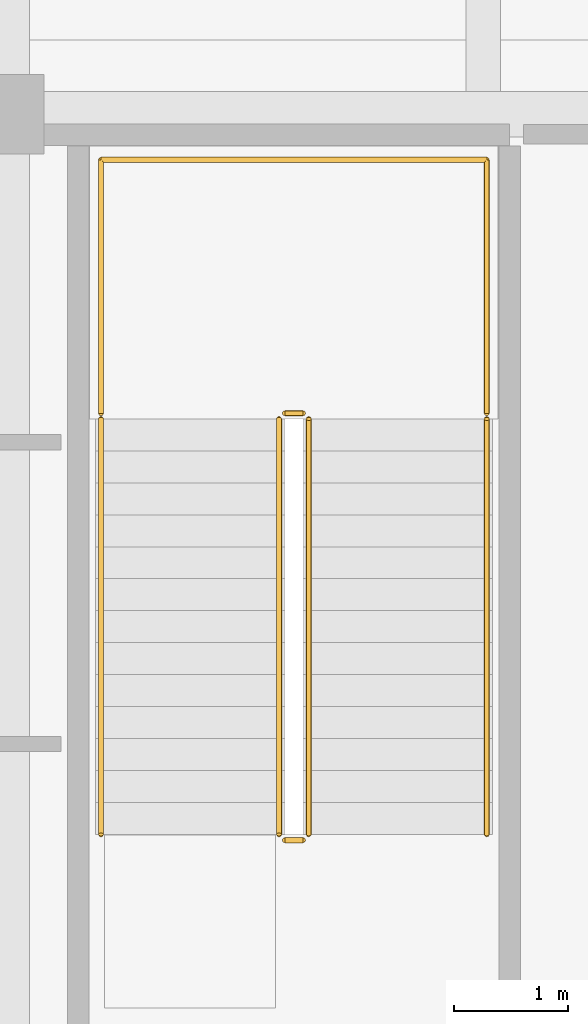
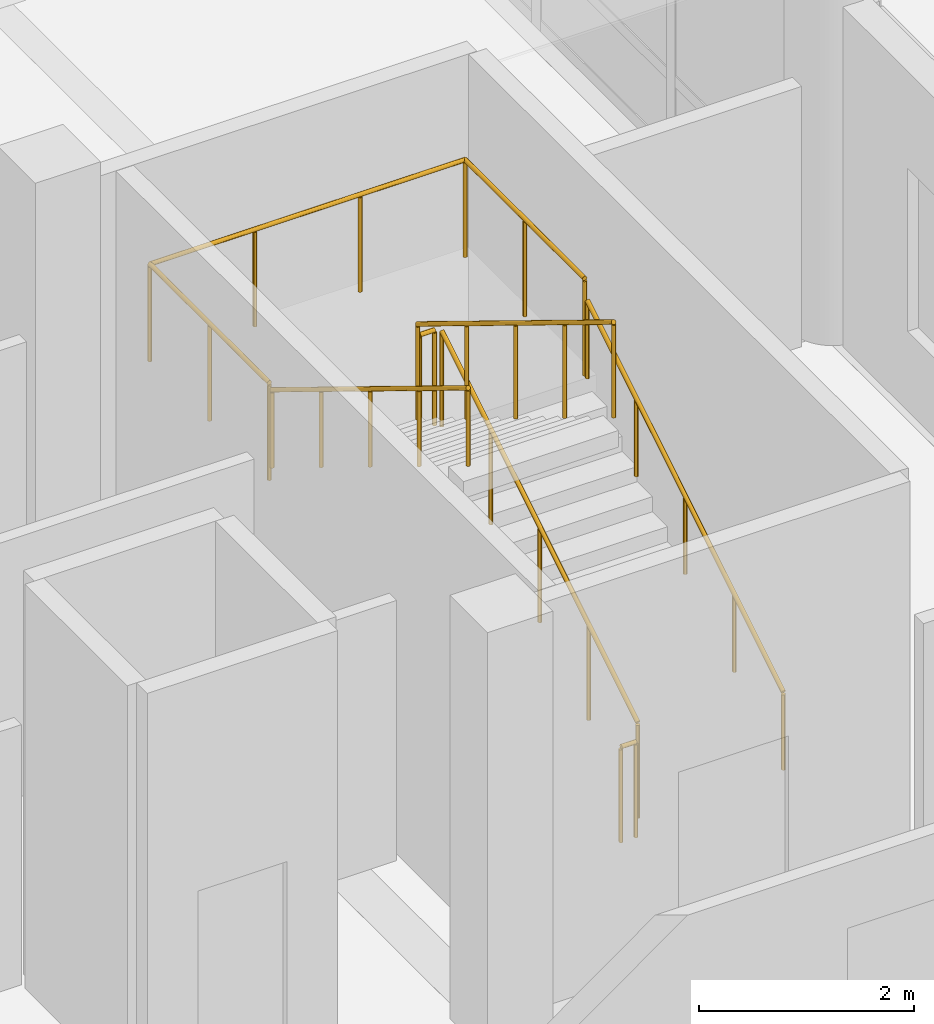
# One storey, part 89 of 128: 7 railings.
"""IFC4 building model written with IfcOpenShell, lengths in metres."""

from ifc_helpers import new_model, si_unit, direction, frame, origin, origin_2d, place, context, subcontext, project, spatial, circle, extrude, material, type_object, element, save


model = new_model("IFC4")

# Units and contexts
model_context = context("Model", 3, precision=1e-05, world=origin(), true_north=direction((0.0, 1.0)))
body_context = subcontext(model_context, "Body", "Model", "MODEL_VIEW")
ifc_project = project(units=[si_unit("LENGTHUNIT", "METRE"), si_unit("AREAUNIT", "SQUARE_METRE"), si_unit("VOLUMEUNIT", "CUBIC_METRE"), si_unit("PLANEANGLEUNIT", "RADIAN"), si_unit("MASSUNIT", "GRAM", prefix="KILO")], contexts=[model_context])

# Site, building, storey
site_placement = place(None, origin())
site = spatial("IfcSite", under=ifc_project, at=site_placement, CompositionType="ELEMENT")
building_placement = place(site_placement, origin())
building = spatial("IfcBuilding", under=site, at=building_placement, Name="Telukmera Botanical Conservatory", CompositionType="ELEMENT")
storey_placement = place(building_placement, frame((0.0, 0.0, 5.39990234375)))
storey = spatial("IfcBuildingStorey", under=building, at=storey_placement, Name="L01", CompositionType="ELEMENT", Elevation=5.39990234375)

# Railings
ifc_material_1 = material(Name="Steel S355", Category="steel")
railing_type_1 = type_object("IfcRailingType", Name="RL-GUARD-1100", PredefinedType="GUARDRAIL", material=ifc_material_1)
railing_1_placement = place(storey_placement, frame((36.27001953125, 28.090087890625, 0.171630859375)))
element("IfcRailing", 1, at=railing_1_placement, inside=storey, type_object=railing_type_1, Name="L01 ST3 stair guard 1", PredefinedType="GUARDRAIL", context=body_context, shape_type="SweptSolid", body=[
    extrude(circle(Radius=0.02392578125, at=origin_2d()), frame((0.0, 0.0, 1.076171875), z_axis=(0.0, 0.852850264322, 0.5221555579), x_axis=(-1.0, 0.0, 0.0)), (0.0, 0.0, 1.0), 4.267822265625),
    extrude(circle(Radius=0.02099609375, at=origin_2d()), origin(), (0.0, 0.0, 1.0), 1.052001953125),
    extrude(circle(Radius=0.02099609375, at=origin_2d()), frame((0.0, 0.909912109375, 0.55712890625)), (0.0, 0.0, 1.0), 1.052001953125),
    extrude(circle(Radius=0.02099609375, at=origin_2d()), frame((0.0, 1.81982421875, 1.1142578125)), (0.0, 0.0, 1.0), 1.052001953125),
    extrude(circle(Radius=0.02099609375, at=origin_2d()), frame((0.0, 2.72998046875, 1.67138671875)), (0.0, 0.0, 1.0), 1.052001953125),
    extrude(circle(Radius=0.02099609375, at=origin_2d()), frame((0.0, 3.639892578125, 2.228515625)), (0.0, 0.0, 1.0), 1.052001953125),
])
railing_2_placement = place(storey_placement, frame((36.219970703125, 31.780029296875, 2.400146484375)))
element("IfcRailing", 2, at=railing_2_placement, inside=storey, type_object=railing_type_1, Name="L01 ST3 stair guard 2", PredefinedType="GUARDRAIL", context=body_context, shape_type="SweptSolid", body=[
    extrude(circle(Radius=0.02392578125, at=origin_2d()), frame((0.0, 0.0, 1.076171875), z_axis=(-1.0, 0.0, 0.0), x_axis=(0.0, -1.0, 0.0)), (0.0, 0.0, 1.0), 0.159912109375),
    extrude(circle(Radius=0.02099609375, at=origin_2d()), origin(), (0.0, 0.0, 1.0), 1.052001953125),
    extrude(circle(Radius=0.02099609375, at=origin_2d()), frame((-0.159912109375, 0.0, 0.0)), (0.0, 0.0, 1.0), 1.052001953125),
])
railing_3_placement = place(storey_placement, frame((36.010009765625, 31.72998046875, 2.571533203125)))
element("IfcRailing", 3, at=railing_3_placement, inside=storey, type_object=railing_type_1, Name="L01 ST3 stair guard 3", PredefinedType="GUARDRAIL", context=body_context, shape_type="SweptSolid", body=[
    extrude(circle(Radius=0.02392578125, at=origin_2d()), frame((0.0, 0.0, 1.076171875), z_axis=(0.0, -0.852850264322, 0.5221555579), x_axis=(1.0, 0.0, 0.0)), (0.0, 0.0, 1.0), 4.267822265625),
    extrude(circle(Radius=0.02099609375, at=origin_2d()), origin(), (0.0, 0.0, 1.0), 1.052001953125),
    extrude(circle(Radius=0.02099609375, at=origin_2d()), frame((0.0, -0.909912109375, 0.55712890625)), (0.0, 0.0, 1.0), 1.052001953125),
    extrude(circle(Radius=0.02099609375, at=origin_2d()), frame((0.0, -1.81982421875, 1.1142578125)), (0.0, 0.0, 1.0), 1.052001953125),
    extrude(circle(Radius=0.02099609375, at=origin_2d()), frame((0.0, -2.72998046875, 1.67138671875)), (0.0, 0.0, 1.0), 1.052001953125),
    extrude(circle(Radius=0.02099609375, at=origin_2d()), frame((0.0, -3.639892578125, 2.228515625)), (0.0, 0.0, 1.0), 1.052001953125),
])
railing_4_placement = place(storey_placement, frame((36.219970703125, 28.0400390625, 0.0)))
element("IfcRailing", 4, at=railing_4_placement, inside=storey, type_object=railing_type_1, Name="L01 ST3 stair guard 4", PredefinedType="GUARDRAIL", context=body_context, shape_type="SweptSolid", body=[
    extrude(circle(Radius=0.02392578125, at=origin_2d()), frame((0.0, 0.0, 1.076171875), z_axis=(-1.0, 0.0, 0.0), x_axis=(0.0, -1.0, 0.0)), (0.0, 0.0, 1.0), 0.159912109375),
    extrude(circle(Radius=0.02099609375, at=origin_2d()), origin(), (0.0, 0.0, 1.0), 1.052001953125),
    extrude(circle(Radius=0.02099609375, at=origin_2d()), frame((-0.159912109375, 0.0, 0.0)), (0.0, 0.0, 1.0), 1.052001953125),
])
railing_5_placement = place(storey_placement, frame((37.830078125, 31.780029296875, 2.400146484375)))
element("IfcRailing", 5, at=railing_5_placement, inside=storey, type_object=railing_type_1, Name="L01 ST3 half-landing perimeter guard 1", PredefinedType="GUARDRAIL", context=body_context, shape_type="SweptSolid", body=[
    extrude(circle(Radius=0.02392578125, at=origin_2d()), frame((0.0, 0.0, 1.09619140625), z_axis=(0.0, 1.0, 0.0), x_axis=(-1.0, 0.0, 0.0)), (0.0, 0.0, 1.0), 2.219970703125),
    extrude(circle(Radius=0.02392578125, at=origin_2d()), frame((0.0, 2.219970703125, 1.09619140625), z_axis=(-1.0, 0.0, 0.0), x_axis=(0.0, -1.0, 0.0)), (0.0, 0.0, 1.0), 3.380126953125),
    extrude(circle(Radius=0.02392578125, at=origin_2d()), frame((-3.380126953125, 2.219970703125, 1.09619140625), z_axis=(0.0, -1.0, 0.0), x_axis=(1.0, 0.0, 0.0)), (0.0, 0.0, 1.0), 2.219970703125),
    extrude(circle(Radius=0.02099609375, at=origin_2d()), origin(), (0.0, 0.0, 1.0), 1.072021484375),
    extrude(circle(Radius=0.02099609375, at=origin_2d()), frame((0.0, 1.10986328125, 0.0)), (0.0, 0.0, 1.0), 1.072021484375),
    extrude(circle(Radius=0.02099609375, at=origin_2d()), frame((0.0, 2.219970703125, 0.0)), (0.0, 0.0, 1.0), 1.072021484375),
    extrude(circle(Radius=0.02099609375, at=origin_2d()), frame((-1.126708984375, 2.219970703125, 0.0)), (0.0, 0.0, 1.0), 1.072021484375),
    extrude(circle(Radius=0.02099609375, at=origin_2d()), frame((-2.25341796875, 2.219970703125, 0.0)), (0.0, 0.0, 1.0), 1.072021484375),
    extrude(circle(Radius=0.02099609375, at=origin_2d()), frame((-3.380126953125, 2.219970703125, 0.0)), (0.0, 0.0, 1.0), 1.072021484375),
    extrude(circle(Radius=0.02099609375, at=origin_2d()), frame((-3.380126953125, 1.10986328125, 0.0)), (0.0, 0.0, 1.0), 1.072021484375),
    extrude(circle(Radius=0.02099609375, at=origin_2d()), frame((-3.380126953125, 0.0, 0.0)), (0.0, 0.0, 1.0), 1.072021484375),
])
ifc_material_2 = material(Name="Stainless steel 316", Category="steel")
railing_type_2 = type_object("IfcRailingType", Name="RL-HAND-900", PredefinedType="HANDRAIL", material=ifc_material_2)
railing_6_placement = place(storey_placement, frame((37.830078125, 28.090087890625, 0.171630859375)))
element("IfcRailing", 6, at=railing_6_placement, inside=storey, type_object=railing_type_2, Name="L01 ST3 stair handrail 1", PredefinedType="HANDRAIL", context=body_context, shape_type="SweptSolid", body=[
    extrude(circle(Radius=0.02392578125, at=origin_2d()), frame((0.0, 0.0, 0.8759765625), z_axis=(0.0, 0.852850264322, 0.5221555579), x_axis=(-1.0, 0.0, 0.0)), (0.0, 0.0, 1.0), 4.267822265625),
    extrude(circle(Radius=0.02099609375, at=origin_2d()), origin(), (0.0, 0.0, 1.0), 0.851806640625),
    extrude(circle(Radius=0.02099609375, at=origin_2d()), frame((0.0, 0.909912109375, 0.55712890625)), (0.0, 0.0, 1.0), 0.851806640625),
    extrude(circle(Radius=0.02099609375, at=origin_2d()), frame((0.0, 1.81982421875, 1.1142578125)), (0.0, 0.0, 1.0), 0.851806640625),
    extrude(circle(Radius=0.02099609375, at=origin_2d()), frame((0.0, 2.72998046875, 1.67138671875)), (0.0, 0.0, 1.0), 0.851806640625),
    extrude(circle(Radius=0.02099609375, at=origin_2d()), frame((0.0, 3.639892578125, 2.228515625)), (0.0, 0.0, 1.0), 0.851806640625),
])
railing_7_placement = place(storey_placement, frame((34.449951171875, 31.72998046875, 2.571533203125)))
element("IfcRailing", 7, at=railing_7_placement, inside=storey, type_object=railing_type_2, Name="L01 ST3 stair handrail 2", PredefinedType="HANDRAIL", context=body_context, shape_type="SweptSolid", body=[
    extrude(circle(Radius=0.02392578125, at=origin_2d()), frame((0.0, 0.0, 0.8759765625), z_axis=(0.0, -0.852850264322, 0.5221555579), x_axis=(1.0, 0.0, 0.0)), (0.0, 0.0, 1.0), 4.267822265625),
    extrude(circle(Radius=0.02099609375, at=origin_2d()), origin(), (0.0, 0.0, 1.0), 0.851806640625),
    extrude(circle(Radius=0.02099609375, at=origin_2d()), frame((0.0, -0.909912109375, 0.55712890625)), (0.0, 0.0, 1.0), 0.851806640625),
    extrude(circle(Radius=0.02099609375, at=origin_2d()), frame((0.0, -1.81982421875, 1.1142578125)), (0.0, 0.0, 1.0), 0.851806640625),
    extrude(circle(Radius=0.02099609375, at=origin_2d()), frame((0.0, -2.72998046875, 1.67138671875)), (0.0, 0.0, 1.0), 0.851806640625),
    extrude(circle(Radius=0.02099609375, at=origin_2d()), frame((0.0, -3.639892578125, 2.228515625)), (0.0, 0.0, 1.0), 0.851806640625),
])

save(model, "model.ifc")
